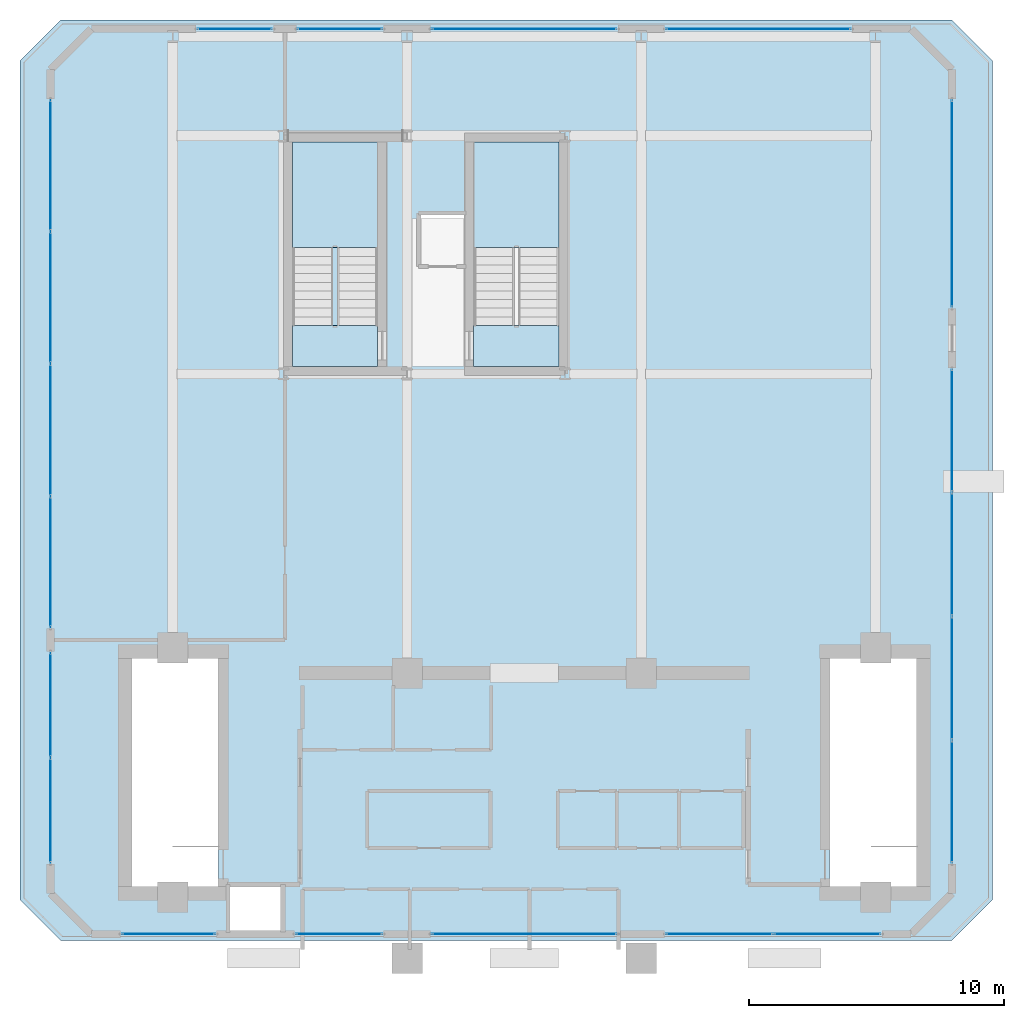
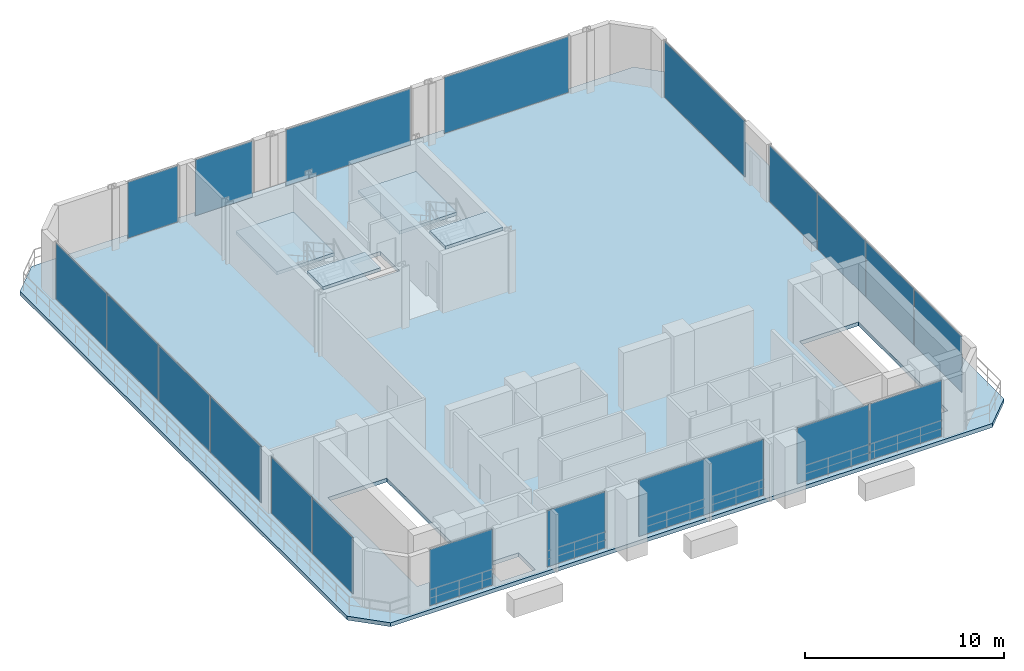
# One storey, part 20 of 26: 20 plates, 5 slabs, 14 elements without a shape of their own.
"""IFC4 building model written with IfcOpenShell, lengths in metres."""

import ifcopenshell
import ifcopenshell.guid

model = None  # the IFC model being written
_history = None  # IfcOwnerHistory: only IFC2X3 demands one
_inside = {}  # id of a spatial element -> (the spatial element, [elements in it])
_under = {}  # id of a project, library or spatial element -> (it, [spatial elements below it])
_declared = {}  # id of a project -> (the project, [libraries it declares])
_typed = {}  # id of a type object -> (the type object, [elements of that type])
_made_of = {}  # id of a material, layer set ... -> (it, [elements and type objects made of it])


def new_model(schema):
    """Start an empty IFC model of exactly this schema.

    Asked for "IFC4X3", IfcOpenShell would pick the latest addendum, in which some entities
    have other attributes; the version numbers below select the first issue.
    IFC2X3 requires an IfcOwnerHistory on every rooted entity: one is made here for all.
    """
    global model, _history
    if schema == "IFC4X3":
        model = ifcopenshell.file(schema_version=(4, 3, 0, 0))
    else:
        model = ifcopenshell.file(schema=schema)
    _inside.clear()
    _under.clear()
    _declared.clear()
    _typed.clear()
    _made_of.clear()
    _history = None
    if model.schema == "IFC2X3":
        org = make("IfcOrganization", Name="unknown")
        user = make(
            "IfcPersonAndOrganization",
            ThePerson=make("IfcPerson", FamilyName="unknown"),
            TheOrganization=org,
        )
        app = make(
            "IfcApplication",
            ApplicationDeveloper=org,
            Version="unknown",
            ApplicationFullName="unknown",
            ApplicationIdentifier="unknown",
        )
        _history = make(
            "IfcOwnerHistory",
            OwningUser=user,
            OwningApplication=app,
            ChangeAction="ADDED",
            CreationDate=0,
        )
    return model


def make(cls, **values):
    """One entity of the class cls with the attributes given. An attribute that is None is left unset."""
    return model.create_entity(
        cls, **{name: value for name, value in values.items() if value is not None}
    )


def rooted(cls, **values):
    """An entity with a GlobalId (a new one), such as an element, a storey or a relation."""
    return make(cls, GlobalId=ifcopenshell.guid.new(), OwnerHistory=_history, **values)


def si_unit(unit_type, name, prefix=None):
    """IfcSIUnit, for example si_unit("LENGTHUNIT", "METRE", prefix="MILLI")."""
    return make("IfcSIUnit", UnitType=unit_type, Prefix=prefix, Name=name)


def assignment(units):
    """IfcUnitAssignment: the units of a project."""
    return None if units is None else make("IfcUnitAssignment", Units=units)


def point(xyz):
    """IfcCartesianPoint."""
    return None if xyz is None else make("IfcCartesianPoint", Coordinates=xyz)


def direction(xyz):
    """IfcDirection."""
    return None if xyz is None else make("IfcDirection", DirectionRatios=xyz)


def frame(location, z_axis=None, x_axis=None):
    """IfcAxis2Placement3D, a coordinate frame: its origin and axes. An axis left out is left unset."""
    return make(
        "IfcAxis2Placement3D",
        Location=point(location),
        Axis=direction(z_axis),
        RefDirection=direction(x_axis),
    )


def frame_2d(location, x_axis=None):
    """IfcAxis2Placement2D, a coordinate frame in the plane: its origin and x axis."""
    return make(
        "IfcAxis2Placement2D", Location=point(location), RefDirection=direction(x_axis)
    )


def origin():
    """The frame at (0, 0, 0) with its axes left unset."""
    return frame((0.0, 0.0, 0.0))


def origin_2d():
    """The frame at (0, 0) in the plane with its x axis left unset."""
    return frame_2d((0.0, 0.0))


def place(relative_to, where):
    """IfcLocalPlacement: puts the frame where relative to a parent placement (None: the world)."""
    return make(
        "IfcLocalPlacement", PlacementRelTo=relative_to, RelativePlacement=where
    )


def context(
    kind, dimensions, precision=None, world=None, true_north=None, identifier=None
):
    """IfcGeometricRepresentationContext, for example the 3D "Model" context."""
    return make(
        "IfcGeometricRepresentationContext",
        ContextIdentifier=identifier,
        ContextType=kind,
        CoordinateSpaceDimension=dimensions,
        Precision=precision,
        WorldCoordinateSystem=world,
        TrueNorth=true_north,
    )


def subcontext(parent, identifier, kind, view, scale=None):
    """IfcGeometricRepresentationSubContext, for example "Body" below "Model"."""
    return make(
        "IfcGeometricRepresentationSubContext",
        ContextIdentifier=identifier,
        ContextType=kind,
        ParentContext=parent,
        TargetScale=scale,
        TargetView=view,
    )


def project(units=None, contexts=None):
    """IfcProject with its units and contexts."""
    return rooted(
        "IfcProject",
        Name="project",
        RepresentationContexts=contexts,
        UnitsInContext=assignment(units),
    )


def spatial(cls, under=None, at=None, **own):
    """A site, building, storey or space (cls), placed at a placement, below another one or the project."""
    s = rooted(cls, ObjectPlacement=at, **own)
    if under is not None:
        _under.setdefault(under.id(), (under, []))[1].append(s)
    return s


def polyline(points):
    """IfcPolyline through the points."""
    return make("IfcPolyline", Points=[point(p) for p in points])


def profile(cls, at=None, kind="AREA", **sizes):
    """A parametric profile (cls). Its sizes go by their IFC names, for example OverallWidth=200.0."""
    return make(cls, ProfileType=kind, Position=at, **sizes)


def rectangle(**sizes):
    """IfcRectangleProfileDef."""
    return profile("IfcRectangleProfileDef", **sizes)


def outline(outer, holes=None, kind="AREA"):
    """IfcArbitraryClosedProfileDef: a profile drawn as a closed curve; with holes, ...WithVoids."""
    if holes is None:
        return make("IfcArbitraryClosedProfileDef", ProfileType=kind, OuterCurve=outer)
    return make(
        "IfcArbitraryProfileDefWithVoids",
        ProfileType=kind,
        OuterCurve=outer,
        InnerCurves=holes,
    )


def extrude(swept, where, along, depth):
    """IfcExtrudedAreaSolid: the profile swept, set in the frame where, extruded along a direction by depth."""
    return make(
        "IfcExtrudedAreaSolid",
        SweptArea=swept,
        Position=where,
        ExtrudedDirection=direction(along),
        Depth=depth,
    )


def shape(context_of_items, identifier, shape_type, items):
    """IfcShapeRepresentation: the items that make up one representation, for example the "Body"."""
    return make(
        "IfcShapeRepresentation",
        ContextOfItems=context_of_items,
        RepresentationIdentifier=identifier,
        RepresentationType=shape_type,
        Items=items,
    )


def material(Name=None, Category=None):
    """IfcMaterial."""
    return make("IfcMaterial", Name=Name, Category=Category)


def layer(
    of_material, thickness, ventilated=None, Name=None, Category=None, Priority=None
):
    """IfcMaterialLayer: one layer of a wall or slab, of a material (None: an air gap)."""
    return make(
        "IfcMaterialLayer",
        Material=of_material,
        LayerThickness=thickness,
        IsVentilated=ventilated,
        Name=Name,
        Category=Category,
        Priority=Priority,
    )


def layer_set(layers, Name=None):
    """IfcMaterialLayerSet."""
    return make("IfcMaterialLayerSet", MaterialLayers=layers, LayerSetName=Name)


def made_of(thing, what):
    """Note that an element or type object is made of a material, layer set ...; save() writes the relation."""
    if what is not None:
        _made_of.setdefault(what.id(), (what, []))[1].append(thing)
    return thing


def type_object(cls, material=None, **own):
    """A type object (cls), such as IfcWallType, which elements share."""
    return made_of(rooted(cls, **own), material)


def element(
    cls,
    number,
    at=None,
    inside=None,
    cuts=None,
    type_object=None,
    material=None,
    context=None,
    identifier="Body",
    shape_type=None,
    held_by="IfcProductDefinitionShape",
    body=None,
    shapes=None,
    **own,
):
    """One element of the class cls, such as IfcWall. Its Tag is "e" and its number.

    at: its placement. inside: the storey or other place that contains it. cuts: it is an
    opening in that element (IfcRelVoidsElement). A single representation is given by context,
    identifier, shape_type and body (its items); several are given by shapes. held_by: the class
    of the entity that holds the representations. save() writes the other relations.
    """
    e = rooted(cls, Tag="e%d" % number, ObjectPlacement=at, **own)
    if body is not None:
        shapes = [shape(context, identifier, shape_type, body)]
    if shapes is not None:
        e.Representation = make(held_by, Representations=shapes)
    if inside is not None:
        _inside.setdefault(inside.id(), (inside, []))[1].append(e)
    if cuts is not None:
        rooted(
            "IfcRelVoidsElement", RelatingBuildingElement=cuts, RelatedOpeningElement=e
        )
    if type_object is not None:
        _typed.setdefault(type_object.id(), (type_object, []))[1].append(e)
    return made_of(e, material)


def aggregate(whole, parts):
    """IfcRelAggregates: a whole, such as a stair, and the parts it consists of."""
    return rooted("IfcRelAggregates", RelatingObject=whole, RelatedObjects=parts)


def save(model, path):
    """Write the relations noted so far, then the file.

    IfcRelAggregates (storeys below a building ...), IfcRelContainedInSpatialStructure (elements
    in a storey), IfcRelDefinesByType, IfcRelAssociatesMaterial and IfcRelDeclares: one each for
    every whole, place, type object, material and project.
    """
    for whole, parts in _under.values():
        aggregate(whole, parts)
    for where, things in _inside.values():
        rooted(
            "IfcRelContainedInSpatialStructure",
            RelatedElements=things,
            RelatingStructure=where,
        )
    for kind, things in _typed.values():
        rooted("IfcRelDefinesByType", RelatedObjects=things, RelatingType=kind)
    for what, things in _made_of.values():
        rooted("IfcRelAssociatesMaterial", RelatedObjects=things, RelatingMaterial=what)
    for by, libraries in _declared.values():
        rooted("IfcRelDeclares", RelatingContext=by, RelatedDefinitions=libraries)
    model.write(path)


model = new_model("IFC4")

# Units and contexts
model_context = context("Model", 3, precision=1e-05, world=origin(), true_north=direction((0.0, 1.0)))
body_context = subcontext(model_context, "Body", "Model", "MODEL_VIEW")
ifc_project = project(units=[si_unit("LENGTHUNIT", "METRE"), si_unit("AREAUNIT", "SQUARE_METRE"), si_unit("VOLUMEUNIT", "CUBIC_METRE"), si_unit("PLANEANGLEUNIT", "RADIAN"), si_unit("MASSUNIT", "GRAM", prefix="KILO")], contexts=[model_context])

# Site, building, storey
site_placement = place(None, origin())
site = spatial("IfcSite", under=ifc_project, at=site_placement, CompositionType="ELEMENT")
building_placement = place(site_placement, origin())
building = spatial("IfcBuilding", under=site, at=building_placement, Name="Zuhayl Quay Hotel", CompositionType="ELEMENT")
storey_placement = place(building_placement, frame((0.0, 0.0, 301.050048828125)))
storey = spatial("IfcBuildingStorey", under=building, at=storey_placement, Name="Crown 2", CompositionType="ELEMENT", Elevation=301.050048828125)

# Curtain wall, plates
ifc_material_1 = material(Name="Anodised Aluminium 6063-T6", Category="aluminium")
ifc_layer_1 = layer(ifc_material_1, 0.159912109375, Name="Anodised Aluminium 6063-T6", Category="aluminium")
ifc_layer_set_1 = layer_set([ifc_layer_1], Name="Anodised Aluminium 6063-T6")
curtain_wall_type = type_object("IfcCurtainWallType", Name="CW_SYS_CRN", PredefinedType="USERDEFINED", material=ifc_layer_set_1)
curtain_wall_1_placement = place(storey_placement, origin())
curtain_wall_1 = element("IfcCurtainWall", 1, at=curtain_wall_1_placement, inside=storey, type_object=curtain_wall_type, Name="Crown 2 Curtain Wall ENV_CR2_E1_CW1", ObjectType="UNITISED CURTAIN WALL", PredefinedType="USERDEFINED")
ifc_material_2 = material(Name="Spandrel Fritted Solar Glass", Category="glass")
ifc_layer_2 = layer(ifc_material_2, 0.028076171875, Name="Spandrel Fritted Solar Glass", Category="glass")
ifc_layer_set_2 = layer_set([ifc_layer_2], Name="Spandrel Fritted Solar Glass")
plate_type = type_object("IfcPlateType", Name="PN_CROWN_SCREEN", PredefinedType="CURTAIN_PANEL", material=ifc_layer_set_2)
plate_1_placement = place(storey_placement, frame((-18.60009765625, 7.952392578125, 0.05517578125), z_axis=(0.0, 0.0, 1.0), x_axis=(0.0, 1.0, 0.0)))
plate_1 = element("IfcPlate", 2, at=plate_1_placement, type_object=plate_type, Name="CW-CRN panel 1.1", PredefinedType="CURTAIN_PANEL", context=body_context, shape_type="SweptSolid", body=[
    extrude(rectangle(XDim=4.0849609375, YDim=0.028076171875, at=origin_2d()), origin(), (0.0, 0.0, 1.0), 3.449951171875),
])
plate_2_placement = place(storey_placement, frame((-18.60009765625, 12.097412109375, 0.05517578125), z_axis=(0.0, 0.0, 1.0), x_axis=(0.0, 1.0, 0.0)))
plate_2 = element("IfcPlate", 3, at=plate_2_placement, type_object=plate_type, Name="CW-CRN panel 2.1", PredefinedType="CURTAIN_PANEL", context=body_context, shape_type="SweptSolid", body=[
    extrude(rectangle(XDim=4.0849609375, YDim=0.028076171875, at=origin_2d()), origin(), (0.0, 0.0, 1.0), 3.449951171875),
])
aggregate(curtain_wall_1, [plate_1, plate_2])

curtain_wall_2_placement = place(storey_placement, origin())
curtain_wall_2 = element("IfcCurtainWall", 4, at=curtain_wall_2_placement, inside=storey, type_object=curtain_wall_type, Name="Crown 2 Curtain Wall ENV_CR2_E1_CW2", ObjectType="UNITISED CURTAIN WALL", PredefinedType="USERDEFINED")
plate_3_placement = place(storey_placement, frame((-18.60009765625, 17.715087890625, 0.05517578125), z_axis=(0.0, 0.0, 1.0), x_axis=(0.0, 1.0, 0.0)))
plate_3 = element("IfcPlate", 5, at=plate_3_placement, type_object=plate_type, Name="CW-CRN panel 1.1", PredefinedType="CURTAIN_PANEL", context=body_context, shape_type="SweptSolid", body=[
    extrude(rectangle(XDim=5.110107421875, YDim=0.028076171875, at=origin_2d()), origin(), (0.0, 0.0, 1.0), 3.449951171875),
])
plate_4_placement = place(storey_placement, frame((-18.60009765625, 22.89990234375, 0.05517578125), z_axis=(0.0, 0.0, 1.0), x_axis=(0.0, 1.0, 0.0)))
plate_4 = element("IfcPlate", 6, at=plate_4_placement, type_object=plate_type, Name="CW-CRN panel 2.1", PredefinedType="CURTAIN_PANEL", context=body_context, shape_type="SweptSolid", body=[
    extrude(rectangle(XDim=5.139892578125, YDim=0.028076171875, at=origin_2d()), origin(), (0.0, 0.0, 1.0), 3.449951171875),
])
plate_5_placement = place(storey_placement, frame((-18.60009765625, 28.10009765625, 0.05517578125), z_axis=(0.0, 0.0, 1.0), x_axis=(0.0, 1.0, 0.0)))
plate_5 = element("IfcPlate", 7, at=plate_5_placement, type_object=plate_type, Name="CW-CRN panel 3.1", PredefinedType="CURTAIN_PANEL", context=body_context, shape_type="SweptSolid", body=[
    extrude(rectangle(XDim=5.139892578125, YDim=0.028076171875, at=origin_2d()), origin(), (0.0, 0.0, 1.0), 3.449951171875),
])
plate_6_placement = place(storey_placement, frame((-18.60009765625, 33.284912109375, 0.05517578125), z_axis=(0.0, 0.0, 1.0), x_axis=(0.0, 1.0, 0.0)))
plate_6 = element("IfcPlate", 8, at=plate_6_placement, type_object=plate_type, Name="CW-CRN panel 4.1", PredefinedType="CURTAIN_PANEL", context=body_context, shape_type="SweptSolid", body=[
    extrude(rectangle(XDim=5.110107421875, YDim=0.028076171875, at=origin_2d()), origin(), (0.0, 0.0, 1.0), 3.449951171875),
])
aggregate(curtain_wall_2, [plate_3, plate_4, plate_5, plate_6])

# Curtain wall, plate
curtain_wall_3_placement = place(storey_placement, origin())
curtain_wall_3 = element("IfcCurtainWall", 9, at=curtain_wall_3_placement, inside=storey, type_object=curtain_wall_type, Name="Crown 2 Curtain Wall ENV_CR2_E3_CW1", ObjectType="UNITISED CURTAIN WALL", PredefinedType="USERDEFINED")
plate_7_placement = place(storey_placement, frame((-11.364990234375, 38.64990234375, 0.05517578125), z_axis=(0.0, 0.0, 1.0), x_axis=(1.0, 0.0, 0.0)))
plate_7 = element("IfcPlate", 10, at=plate_7_placement, type_object=plate_type, Name="CW-CRN panel 1.1", PredefinedType="CURTAIN_PANEL", context=body_context, shape_type="SweptSolid", body=[
    extrude(rectangle(XDim=2.909912109375, YDim=0.028076171875, at=origin_2d()), origin(), (0.0, 0.0, 1.0), 3.449951171875),
])
aggregate(curtain_wall_3, [plate_7])

curtain_wall_4_placement = place(storey_placement, origin())
curtain_wall_4 = element("IfcCurtainWall", 11, at=curtain_wall_4_placement, inside=storey, type_object=curtain_wall_type, Name="Crown 2 Curtain Wall ENV_CR2_E3_CW2", ObjectType="UNITISED CURTAIN WALL", PredefinedType="USERDEFINED")
plate_8_placement = place(storey_placement, frame((-7.235107421875, 38.64990234375, 0.05517578125), z_axis=(0.0, 0.0, 1.0), x_axis=(1.0, 0.0, 0.0)))
plate_8 = element("IfcPlate", 12, at=plate_8_placement, type_object=plate_type, Name="CW-CRN panel 1.1", PredefinedType="CURTAIN_PANEL", context=body_context, shape_type="SweptSolid", body=[
    extrude(rectangle(XDim=3.31005859375, YDim=0.028076171875, at=origin_2d()), origin(), (0.0, 0.0, 1.0), 3.449951171875),
])
aggregate(curtain_wall_4, [plate_8])

curtain_wall_5_placement = place(storey_placement, origin())
curtain_wall_5 = element("IfcCurtainWall", 13, at=curtain_wall_5_placement, inside=storey, type_object=curtain_wall_type, Name="Crown 2 Curtain Wall ENV_CR2_E3_CW3", ObjectType="UNITISED CURTAIN WALL", PredefinedType="USERDEFINED")
plate_9_placement = place(storey_placement, frame((0.0, 38.64990234375, 0.05517578125), z_axis=(0.0, 0.0, 1.0), x_axis=(1.0, 0.0, 0.0)))
plate_9 = element("IfcPlate", 14, at=plate_9_placement, type_object=plate_type, Name="CW-CRN panel 1.1", PredefinedType="CURTAIN_PANEL", context=body_context, shape_type="SweptSolid", body=[
    extrude(rectangle(XDim=7.239990234375, YDim=0.028076171875, at=origin_2d()), origin(), (0.0, 0.0, 1.0), 3.449951171875),
])
aggregate(curtain_wall_5, [plate_9])

curtain_wall_6_placement = place(storey_placement, origin())
curtain_wall_6 = element("IfcCurtainWall", 15, at=curtain_wall_6_placement, inside=storey, type_object=curtain_wall_type, Name="Crown 2 Curtain Wall ENV_CR2_E3_CW4", ObjectType="UNITISED CURTAIN WALL", PredefinedType="USERDEFINED")
plate_10_placement = place(storey_placement, frame((9.199951171875, 38.64990234375, 0.05517578125), z_axis=(0.0, 0.0, 1.0), x_axis=(1.0, 0.0, 0.0)))
plate_10 = element("IfcPlate", 16, at=plate_10_placement, type_object=plate_type, Name="CW-CRN panel 1.1", PredefinedType="CURTAIN_PANEL", context=body_context, shape_type="SweptSolid", body=[
    extrude(rectangle(XDim=7.239990234375, YDim=0.028076171875, at=origin_2d()), origin(), (0.0, 0.0, 1.0), 3.449951171875),
])
aggregate(curtain_wall_6, [plate_10])

curtain_wall_7_placement = place(storey_placement, origin())
curtain_wall_7 = element("IfcCurtainWall", 17, at=curtain_wall_7_placement, inside=storey, type_object=curtain_wall_type, Name="Crown 2 Curtain Wall ENV_CR2_E5_CW1", ObjectType="UNITISED CURTAIN WALL", PredefinedType="USERDEFINED")
plate_11_placement = place(storey_placement, frame((16.800048828125, 31.78759765625, 0.05517578125), z_axis=(0.0, 0.0, 1.0), x_axis=(0.0, -1.0, 0.0)))
plate_11 = element("IfcPlate", 18, at=plate_11_placement, type_object=plate_type, Name="CW-CRN panel 1.1", PredefinedType="CURTAIN_PANEL", context=body_context, shape_type="SweptSolid", body=[
    extrude(rectangle(XDim=8.10498046875, YDim=0.028076171875, at=origin_2d()), origin(), (0.0, 0.0, 1.0), 3.449951171875),
])
aggregate(curtain_wall_7, [plate_11])

# Curtain wall, plates
curtain_wall_8_placement = place(storey_placement, origin())
curtain_wall_8 = element("IfcCurtainWall", 19, at=curtain_wall_8_placement, inside=storey, type_object=curtain_wall_type, Name="Crown 2 Curtain Wall ENV_CR2_E5_CW2", ObjectType="UNITISED CURTAIN WALL", PredefinedType="USERDEFINED")
plate_12_placement = place(storey_placement, frame((16.800048828125, 22.875732421875, 0.05517578125), z_axis=(0.0, 0.0, 1.0), x_axis=(0.0, -1.0, 0.0)))
plate_12 = element("IfcPlate", 20, at=plate_12_placement, type_object=plate_type, Name="CW-CRN panel 1.1", PredefinedType="CURTAIN_PANEL", context=body_context, shape_type="SweptSolid", body=[
    extrude(rectangle(XDim=4.77880859375, YDim=0.028076171875, at=origin_2d()), origin(), (0.0, 0.0, 1.0), 3.449951171875),
])
plate_13_placement = place(storey_placement, frame((16.800048828125, 18.02197265625, 0.05517578125), z_axis=(0.0, 0.0, 1.0), x_axis=(0.0, -1.0, 0.0)))
plate_13 = element("IfcPlate", 21, at=plate_13_placement, type_object=plate_type, Name="CW-CRN panel 2.1", PredefinedType="CURTAIN_PANEL", context=body_context, shape_type="SweptSolid", body=[
    extrude(rectangle(XDim=4.808837890625, YDim=0.028076171875, at=origin_2d()), origin(), (0.0, 0.0, 1.0), 3.449951171875),
])
plate_14_placement = place(storey_placement, frame((16.800048828125, 13.153076171875, 0.05517578125), z_axis=(0.0, 0.0, 1.0), x_axis=(0.0, -1.0, 0.0)))
plate_14 = element("IfcPlate", 22, at=plate_14_placement, type_object=plate_type, Name="CW-CRN panel 3.1", PredefinedType="CURTAIN_PANEL", context=body_context, shape_type="SweptSolid", body=[
    extrude(rectangle(XDim=4.808837890625, YDim=0.028076171875, at=origin_2d()), origin(), (0.0, 0.0, 1.0), 3.449951171875),
])
plate_15_placement = place(storey_placement, frame((16.800048828125, 8.29931640625, 0.05517578125), z_axis=(0.0, 0.0, 1.0), x_axis=(0.0, -1.0, 0.0)))
plate_15 = element("IfcPlate", 23, at=plate_15_placement, type_object=plate_type, Name="CW-CRN panel 4.1", PredefinedType="CURTAIN_PANEL", context=body_context, shape_type="SweptSolid", body=[
    extrude(rectangle(XDim=4.77880859375, YDim=0.028076171875, at=origin_2d()), origin(), (0.0, 0.0, 1.0), 3.449951171875),
])
aggregate(curtain_wall_8, [plate_12, plate_13, plate_14, plate_15])

curtain_wall_9_placement = place(storey_placement, origin())
curtain_wall_9 = element("IfcCurtainWall", 24, at=curtain_wall_9_placement, inside=storey, type_object=curtain_wall_type, Name="Crown 2 Curtain Wall ENV_CR2_E7_CW1", ObjectType="UNITISED CURTAIN WALL", PredefinedType="USERDEFINED")
plate_16_placement = place(storey_placement, frame((11.902587890625, 3.10009765625, 0.05517578125), z_axis=(0.0, 0.0, 1.0), x_axis=(-1.0, 0.0, 0.0)))
plate_16 = element("IfcPlate", 25, at=plate_16_placement, type_object=plate_type, Name="CW-CRN panel 1.1", PredefinedType="CURTAIN_PANEL", context=body_context, shape_type="SweptSolid", body=[
    extrude(rectangle(XDim=4.175048828125, YDim=0.028076171875, at=origin_2d()), origin(), (0.0, 0.0, 1.0), 3.449951171875),
])
plate_17_placement = place(storey_placement, frame((7.66748046875, 3.10009765625, 0.05517578125), z_axis=(0.0, 0.0, 1.0), x_axis=(-1.0, 0.0, 0.0)))
plate_17 = element("IfcPlate", 26, at=plate_17_placement, type_object=plate_type, Name="CW-CRN panel 2.1", PredefinedType="CURTAIN_PANEL", context=body_context, shape_type="SweptSolid", body=[
    extrude(rectangle(XDim=4.175048828125, YDim=0.028076171875, at=origin_2d()), origin(), (0.0, 0.0, 1.0), 3.449951171875),
])
aggregate(curtain_wall_9, [plate_16, plate_17])

# Curtain wall, plate
curtain_wall_10_placement = place(storey_placement, origin())
curtain_wall_10 = element("IfcCurtainWall", 27, at=curtain_wall_10_placement, inside=storey, type_object=curtain_wall_type, Name="Crown 2 Curtain Wall ENV_CR2_E7_CW2", ObjectType="UNITISED CURTAIN WALL", PredefinedType="USERDEFINED")
plate_18_placement = place(storey_placement, frame((0.0, 3.10009765625, 0.05517578125), z_axis=(0.0, 0.0, 1.0), x_axis=(-1.0, 0.0, 0.0)))
plate_18 = element("IfcPlate", 28, at=plate_18_placement, type_object=plate_type, Name="CW-CRN panel 1.1", PredefinedType="CURTAIN_PANEL", context=body_context, shape_type="SweptSolid", body=[
    extrude(rectangle(XDim=7.239990234375, YDim=0.028076171875, at=origin_2d()), origin(), (0.0, 0.0, 1.0), 3.449951171875),
])
aggregate(curtain_wall_10, [plate_18])

curtain_wall_11_placement = place(storey_placement, origin())
curtain_wall_11 = element("IfcCurtainWall", 29, at=curtain_wall_11_placement, inside=storey, type_object=curtain_wall_type, Name="Crown 2 Curtain Wall ENV_CR2_E7_CW3", ObjectType="UNITISED CURTAIN WALL", PredefinedType="USERDEFINED")
plate_19_placement = place(storey_placement, frame((-7.27001953125, 3.10009765625, 0.05517578125), z_axis=(0.0, 0.0, 1.0), x_axis=(-1.0, 0.0, 0.0)))
plate_19 = element("IfcPlate", 30, at=plate_19_placement, type_object=plate_type, Name="CW-CRN panel 1.1", PredefinedType="CURTAIN_PANEL", context=body_context, shape_type="SweptSolid", body=[
    extrude(rectangle(XDim=3.3798828125, YDim=0.028076171875, at=origin_2d()), origin(), (0.0, 0.0, 1.0), 3.449951171875),
])
aggregate(curtain_wall_11, [plate_19])

curtain_wall_12_placement = place(storey_placement, origin())
curtain_wall_12 = element("IfcCurtainWall", 31, at=curtain_wall_12_placement, inside=storey, type_object=curtain_wall_type, Name="Crown 2 Curtain Wall ENV_CR2_E7_CW4", ObjectType="UNITISED CURTAIN WALL", PredefinedType="USERDEFINED")
plate_20_placement = place(storey_placement, frame((-13.965087890625, 3.10009765625, 0.05517578125), z_axis=(0.0, 0.0, 1.0), x_axis=(-1.0, 0.0, 0.0)))
plate_20 = element("IfcPlate", 32, at=plate_20_placement, type_object=plate_type, Name="CW-CRN panel 1.1", PredefinedType="CURTAIN_PANEL", context=body_context, shape_type="SweptSolid", body=[
    extrude(rectangle(XDim=3.64990234375, YDim=0.028076171875, at=origin_2d()), origin(), (0.0, 0.0, 1.0), 3.449951171875),
])
aggregate(curtain_wall_12, [plate_20])

# Slab
ifc_material_3 = material(Name="Concrete C45/55", Category="concrete")
ifc_layer_3 = layer(ifc_material_3, 0.239990234375, Name="Concrete C45/55", Category="concrete")
ifc_layer_set_3 = layer_set([ifc_layer_3], Name="Concrete C45/55")
slab_type_1 = type_object("IfcSlabType", Name="SL_CROWN_ROOF_240", PredefinedType="ROOF", material=ifc_layer_set_3)
slab_1_placement = place(storey_placement, frame((0.0, 0.0, -0.239990234375)))
element("IfcSlab", 33, at=slab_1_placement, inside=storey, type_object=slab_type_1, Name="Crown 2 Stepped Crown Terrace and Roof Slab", PredefinedType="ROOF", context=body_context, shape_type="SweptSolid", body=[
    extrude(outline(polyline([(-18.199951171875, 2.85009765625), (16.800048828125, 2.85009765625), (18.39990234375, 4.449951171875), (18.39990234375, 37.39990234375), (16.800048828125, 39.0), (-18.199951171875, 39.0), (-19.800048828125, 37.39990234375), (-19.800048828125, 4.449951171875), (-18.199951171875, 2.85009765625)]), holes=[polyline([(-12.0, 4.949951171875), (-12.0, 13.949951171875), (-15.429931640625, 13.949951171875), (-15.429931640625, 4.949951171875), (-12.0, 4.949951171875)]), polyline([(15.429931640625, 4.949951171875), (15.429931640625, 13.949951171875), (12.0, 13.949951171875), (12.0, 4.949951171875), (15.429931640625, 4.949951171875)]), polyline([(-4.080078125, 29.39990234375), (-2.340087890625, 29.39990234375), (-2.340087890625, 31.35009765625), (-4.080078125, 31.35009765625), (-4.080078125, 29.39990234375)]), polyline([(-11.550048828125, 3.25), (-9.550048828125, 3.25), (-9.550048828125, 4.949951171875), (-11.550048828125, 4.949951171875), (-11.550048828125, 3.25)])]), origin(), (0.0, 0.0, 1.0), 0.239990234375),
])

# Stair, slabs
stair_type = type_object("IfcStairType", Name="ST_DOGLEG_PODIUM", PredefinedType="HALF_TURN_STAIR", material=ifc_material_3)
stair_1_placement = place(storey_placement, origin())
stair_1 = element("IfcStair", 34, at=stair_1_placement, inside=storey, type_object=stair_type, Name="Crown 2 Smokeproof Exit Stair ST5", PredefinedType="HALF_TURN_STAIR")
ifc_layer_4 = layer(ifc_material_3, 0.199951171875, Name="Concrete C45/55", Category="concrete")
ifc_layer_set_4 = layer_set([ifc_layer_4], Name="Concrete C45/55")
slab_type_2 = type_object("IfcSlabType", Name="SL_STAIR_LANDING_200", PredefinedType="LANDING", material=ifc_layer_set_4)
slab_2_placement = place(storey_placement, frame((0.0, 0.0, 1.699951171875)))
slab_2 = element("IfcSlab", 35, at=slab_2_placement, type_object=slab_type_2, Name="ST5 landing 1", PredefinedType="LANDING", context=body_context, shape_type="SweptSolid", body=[
    extrude(outline(polyline([(-5.75, 30.06005859375), (-5.75, 34.199951171875), (-9.10009765625, 34.199951171875), (-9.10009765625, 30.06005859375), (-5.75, 30.06005859375)])), origin(), (0.0, 0.0, 1.0), 0.199951171875),
])
slab_3_placement = place(storey_placement, frame((0.0, 0.0, 3.599853515625)))
slab_3 = element("IfcSlab", 36, at=slab_3_placement, type_object=slab_type_2, Name="ST5 landing 2", PredefinedType="LANDING", context=body_context, shape_type="SweptSolid", body=[
    extrude(outline(polyline([(-5.75, 25.39990234375), (-5.75, 27.0), (-9.10009765625, 27.0), (-9.10009765625, 25.39990234375), (-5.75, 25.39990234375)])), origin(), (0.0, 0.0, 1.0), 0.2001953125),
])
aggregate(stair_1, [slab_2, slab_3])

stair_2_placement = place(storey_placement, origin())
stair_2 = element("IfcStair", 37, at=stair_2_placement, inside=storey, type_object=stair_type, Name="Crown 2 Smokeproof Exit Stair ST6", PredefinedType="HALF_TURN_STAIR")
slab_4_placement = place(storey_placement, frame((0.0, 0.0, 1.699951171875)))
slab_4 = element("IfcSlab", 38, at=slab_4_placement, type_object=slab_type_2, Name="ST6 landing 1", PredefinedType="LANDING", context=body_context, shape_type="SweptSolid", body=[
    extrude(outline(polyline([(1.3701171875, 30.06005859375), (1.3701171875, 34.199951171875), (-1.97998046875, 34.199951171875), (-1.97998046875, 30.06005859375), (1.3701171875, 30.06005859375)])), origin(), (0.0, 0.0, 1.0), 0.199951171875),
])
slab_5_placement = place(storey_placement, frame((0.0, 0.0, 3.599853515625)))
slab_5 = element("IfcSlab", 39, at=slab_5_placement, type_object=slab_type_2, Name="ST6 landing 2", PredefinedType="LANDING", context=body_context, shape_type="SweptSolid", body=[
    extrude(outline(polyline([(1.3701171875, 25.39990234375), (1.3701171875, 27.0), (-1.97998046875, 27.0), (-1.97998046875, 25.39990234375), (1.3701171875, 25.39990234375)])), origin(), (0.0, 0.0, 1.0), 0.2001953125),
])
aggregate(stair_2, [slab_4, slab_5])

save(model, "model.ifc")
